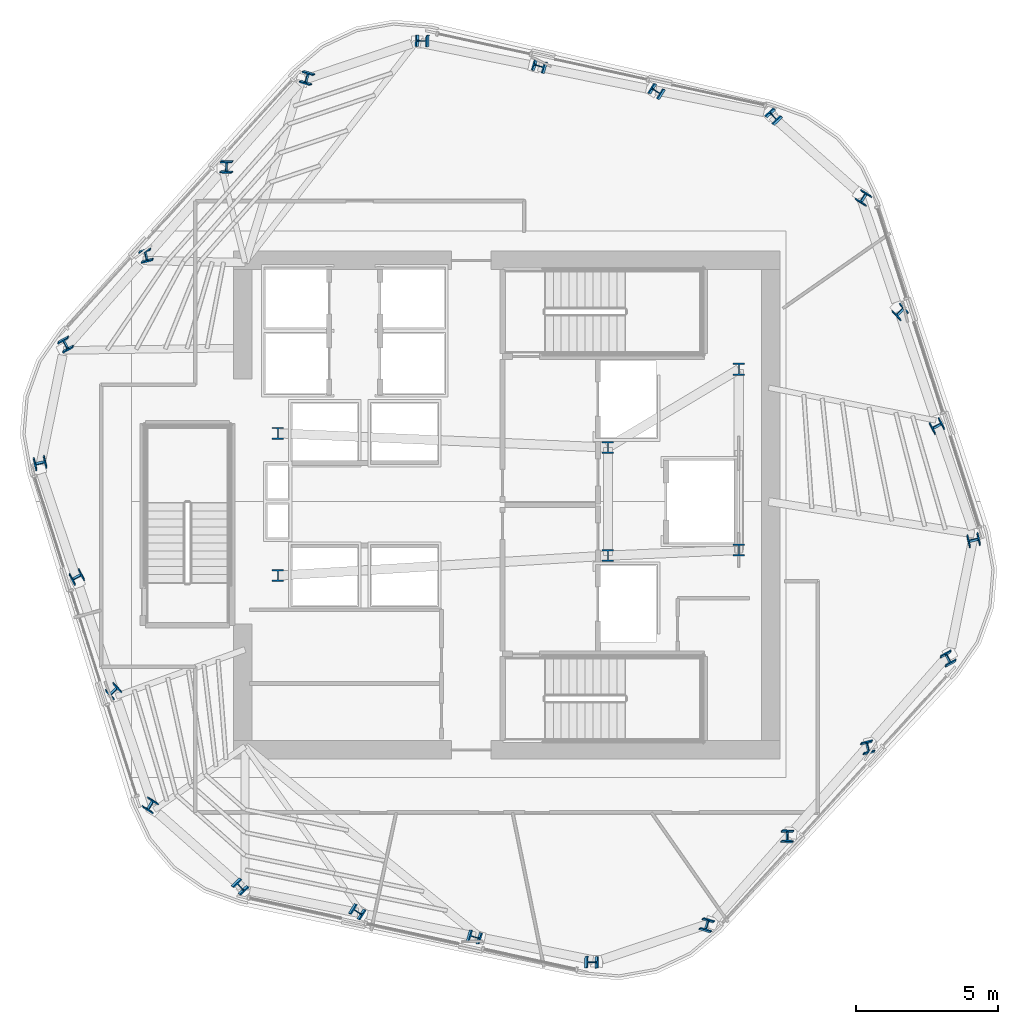
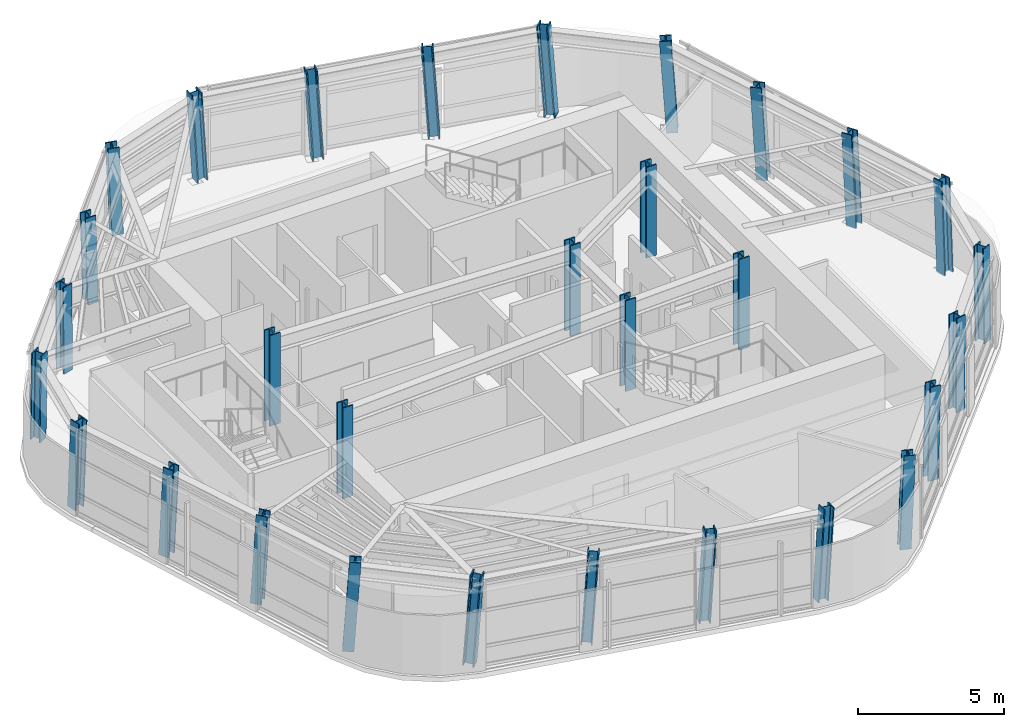
# One storey, part 1 of 13: 30 columns.
"""IFC4 building model written with IfcOpenShell, lengths in metres."""

import ifcopenshell
import ifcopenshell.guid

model = None  # the IFC model being written
_history = None  # IfcOwnerHistory: only IFC2X3 demands one
_inside = {}  # id of a spatial element -> (the spatial element, [elements in it])
_under = {}  # id of a project, library or spatial element -> (it, [spatial elements below it])
_declared = {}  # id of a project -> (the project, [libraries it declares])
_typed = {}  # id of a type object -> (the type object, [elements of that type])
_made_of = {}  # id of a material, layer set ... -> (it, [elements and type objects made of it])


def new_model(schema):
    """Start an empty IFC model of exactly this schema.

    Asked for "IFC4X3", IfcOpenShell would pick the latest addendum, in which some entities
    have other attributes; the version numbers below select the first issue.
    IFC2X3 requires an IfcOwnerHistory on every rooted entity: one is made here for all.
    """
    global model, _history
    if schema == "IFC4X3":
        model = ifcopenshell.file(schema_version=(4, 3, 0, 0))
    else:
        model = ifcopenshell.file(schema=schema)
    _inside.clear()
    _under.clear()
    _declared.clear()
    _typed.clear()
    _made_of.clear()
    _history = None
    if model.schema == "IFC2X3":
        org = make("IfcOrganization", Name="unknown")
        user = make(
            "IfcPersonAndOrganization",
            ThePerson=make("IfcPerson", FamilyName="unknown"),
            TheOrganization=org,
        )
        app = make(
            "IfcApplication",
            ApplicationDeveloper=org,
            Version="unknown",
            ApplicationFullName="unknown",
            ApplicationIdentifier="unknown",
        )
        _history = make(
            "IfcOwnerHistory",
            OwningUser=user,
            OwningApplication=app,
            ChangeAction="ADDED",
            CreationDate=0,
        )
    return model


def make(cls, **values):
    """One entity of the class cls with the attributes given. An attribute that is None is left unset."""
    return model.create_entity(
        cls, **{name: value for name, value in values.items() if value is not None}
    )


def rooted(cls, **values):
    """An entity with a GlobalId (a new one), such as an element, a storey or a relation."""
    return make(cls, GlobalId=ifcopenshell.guid.new(), OwnerHistory=_history, **values)


def si_unit(unit_type, name, prefix=None):
    """IfcSIUnit, for example si_unit("LENGTHUNIT", "METRE", prefix="MILLI")."""
    return make("IfcSIUnit", UnitType=unit_type, Prefix=prefix, Name=name)


def assignment(units):
    """IfcUnitAssignment: the units of a project."""
    return None if units is None else make("IfcUnitAssignment", Units=units)


def point(xyz):
    """IfcCartesianPoint."""
    return None if xyz is None else make("IfcCartesianPoint", Coordinates=xyz)


def direction(xyz):
    """IfcDirection."""
    return None if xyz is None else make("IfcDirection", DirectionRatios=xyz)


def frame(location, z_axis=None, x_axis=None):
    """IfcAxis2Placement3D, a coordinate frame: its origin and axes. An axis left out is left unset."""
    return make(
        "IfcAxis2Placement3D",
        Location=point(location),
        Axis=direction(z_axis),
        RefDirection=direction(x_axis),
    )


def frame_2d(location, x_axis=None):
    """IfcAxis2Placement2D, a coordinate frame in the plane: its origin and x axis."""
    return make(
        "IfcAxis2Placement2D", Location=point(location), RefDirection=direction(x_axis)
    )


def origin():
    """The frame at (0, 0, 0) with its axes left unset."""
    return frame((0.0, 0.0, 0.0))


def origin_2d():
    """The frame at (0, 0) in the plane with its x axis left unset."""
    return frame_2d((0.0, 0.0))


def place(relative_to, where):
    """IfcLocalPlacement: puts the frame where relative to a parent placement (None: the world)."""
    return make(
        "IfcLocalPlacement", PlacementRelTo=relative_to, RelativePlacement=where
    )


def context(
    kind, dimensions, precision=None, world=None, true_north=None, identifier=None
):
    """IfcGeometricRepresentationContext, for example the 3D "Model" context."""
    return make(
        "IfcGeometricRepresentationContext",
        ContextIdentifier=identifier,
        ContextType=kind,
        CoordinateSpaceDimension=dimensions,
        Precision=precision,
        WorldCoordinateSystem=world,
        TrueNorth=true_north,
    )


def subcontext(parent, identifier, kind, view, scale=None):
    """IfcGeometricRepresentationSubContext, for example "Body" below "Model"."""
    return make(
        "IfcGeometricRepresentationSubContext",
        ContextIdentifier=identifier,
        ContextType=kind,
        ParentContext=parent,
        TargetScale=scale,
        TargetView=view,
    )


def project(units=None, contexts=None):
    """IfcProject with its units and contexts."""
    return rooted(
        "IfcProject",
        Name="project",
        RepresentationContexts=contexts,
        UnitsInContext=assignment(units),
    )


def spatial(cls, under=None, at=None, **own):
    """A site, building, storey or space (cls), placed at a placement, below another one or the project."""
    s = rooted(cls, ObjectPlacement=at, **own)
    if under is not None:
        _under.setdefault(under.id(), (under, []))[1].append(s)
    return s


def profile(cls, at=None, kind="AREA", **sizes):
    """A parametric profile (cls). Its sizes go by their IFC names, for example OverallWidth=200.0."""
    return make(cls, ProfileType=kind, Position=at, **sizes)


def i_section(**sizes):
    """IfcIShapeProfileDef."""
    return profile("IfcIShapeProfileDef", **sizes)


def extrude(swept, where, along, depth):
    """IfcExtrudedAreaSolid: the profile swept, set in the frame where, extruded along a direction by depth."""
    return make(
        "IfcExtrudedAreaSolid",
        SweptArea=swept,
        Position=where,
        ExtrudedDirection=direction(along),
        Depth=depth,
    )


def shape(context_of_items, identifier, shape_type, items):
    """IfcShapeRepresentation: the items that make up one representation, for example the "Body"."""
    return make(
        "IfcShapeRepresentation",
        ContextOfItems=context_of_items,
        RepresentationIdentifier=identifier,
        RepresentationType=shape_type,
        Items=items,
    )


def material(Name=None, Category=None):
    """IfcMaterial."""
    return make("IfcMaterial", Name=Name, Category=Category)


def material_profile(
    of_material, cross_section, Name=None, Category=None, Priority=None
):
    """IfcMaterialProfile: a cross section and its material."""
    return make(
        "IfcMaterialProfile",
        Name=Name,
        Material=of_material,
        Profile=cross_section,
        Priority=Priority,
        Category=Category,
    )


def profile_set(profiles, Name=None, composite=None):
    """IfcMaterialProfileSet."""
    return make(
        "IfcMaterialProfileSet",
        Name=Name,
        MaterialProfiles=profiles,
        CompositeProfile=composite,
    )


def made_of(thing, what):
    """Note that an element or type object is made of a material, layer set ...; save() writes the relation."""
    if what is not None:
        _made_of.setdefault(what.id(), (what, []))[1].append(thing)
    return thing


def type_object(cls, material=None, **own):
    """A type object (cls), such as IfcWallType, which elements share."""
    return made_of(rooted(cls, **own), material)


def element(
    cls,
    number,
    at=None,
    inside=None,
    cuts=None,
    type_object=None,
    material=None,
    context=None,
    identifier="Body",
    shape_type=None,
    held_by="IfcProductDefinitionShape",
    body=None,
    shapes=None,
    **own,
):
    """One element of the class cls, such as IfcWall. Its Tag is "e" and its number.

    at: its placement. inside: the storey or other place that contains it. cuts: it is an
    opening in that element (IfcRelVoidsElement). A single representation is given by context,
    identifier, shape_type and body (its items); several are given by shapes. held_by: the class
    of the entity that holds the representations. save() writes the other relations.
    """
    e = rooted(cls, Tag="e%d" % number, ObjectPlacement=at, **own)
    if body is not None:
        shapes = [shape(context, identifier, shape_type, body)]
    if shapes is not None:
        e.Representation = make(held_by, Representations=shapes)
    if inside is not None:
        _inside.setdefault(inside.id(), (inside, []))[1].append(e)
    if cuts is not None:
        rooted(
            "IfcRelVoidsElement", RelatingBuildingElement=cuts, RelatedOpeningElement=e
        )
    if type_object is not None:
        _typed.setdefault(type_object.id(), (type_object, []))[1].append(e)
    return made_of(e, material)


def aggregate(whole, parts):
    """IfcRelAggregates: a whole, such as a stair, and the parts it consists of."""
    return rooted("IfcRelAggregates", RelatingObject=whole, RelatedObjects=parts)


def save(model, path):
    """Write the relations noted so far, then the file.

    IfcRelAggregates (storeys below a building ...), IfcRelContainedInSpatialStructure (elements
    in a storey), IfcRelDefinesByType, IfcRelAssociatesMaterial and IfcRelDeclares: one each for
    every whole, place, type object, material and project.
    """
    for whole, parts in _under.values():
        aggregate(whole, parts)
    for where, things in _inside.values():
        rooted(
            "IfcRelContainedInSpatialStructure",
            RelatedElements=things,
            RelatingStructure=where,
        )
    for kind, things in _typed.values():
        rooted("IfcRelDefinesByType", RelatedObjects=things, RelatingType=kind)
    for what, things in _made_of.values():
        rooted("IfcRelAssociatesMaterial", RelatedObjects=things, RelatingMaterial=what)
    for by, libraries in _declared.values():
        rooted("IfcRelDeclares", RelatingContext=by, RelatedDefinitions=libraries)
    model.write(path)


model = new_model("IFC4")

# Units and contexts
model_context = context("Model", 3, precision=1e-05, world=origin(), true_north=direction((0.0, 1.0)))
body_context = subcontext(model_context, "Body", "Model", "MODEL_VIEW")
ifc_project = project(units=[si_unit("LENGTHUNIT", "METRE"), si_unit("AREAUNIT", "SQUARE_METRE"), si_unit("VOLUMEUNIT", "CUBIC_METRE"), si_unit("PLANEANGLEUNIT", "RADIAN"), si_unit("MASSUNIT", "GRAM", prefix="KILO")], contexts=[model_context])

# Site, building, storey
site_placement = place(None, origin())
site = spatial("IfcSite", under=ifc_project, at=site_placement, CompositionType="ELEMENT")
building_placement = place(site_placement, origin())
building = spatial("IfcBuilding", under=site, at=building_placement, Name="Valkerne Bourse Tower", CompositionType="ELEMENT")
storey_placement = place(building_placement, frame((0.0, 0.0, 228.39990234375)))
storey = spatial("IfcBuildingStorey", under=building, at=storey_placement, Name="L58", CompositionType="ELEMENT", Elevation=228.39990234375)

# Columns
ifc_material = material(Name="Steel ASTM A913 Grade 65", Category="steel")
ifc_material_profile_1 = material_profile(ifc_material, i_section(OverallWidth=0.40380859375, OverallDepth=0.406494140625, WebThickness=0.027099609375, FlangeThickness=0.043701171875, FilletRadius=0.025390625, at=origin_2d()), Name="W14X233")
ifc_profile_set_1 = profile_set([ifc_material_profile_1], Name="Steel ASTM A913 Grade 65")
column_type_1 = type_object("IfcColumnType", Name="COL-W14X233", PredefinedType="COLUMN", material=ifc_profile_set_1)
column_1_placement = place(storey_placement, frame((56.210693359375, 40.50390625, 0.010009765625), z_axis=(-0.05623859574, 0.038587535908, 0.997671400022), x_axis=(0.728028502711, 0.685392874579, 0.014529511913)))
element("IfcColumn", 1, at=column_1_placement, inside=storey, type_object=column_type_1, Name="L58 Helical Perimeter Tube Column F1-C1", PredefinedType="COLUMN", context=body_context, shape_type="SweptSolid", body=[
    extrude(i_section(OverallWidth=0.40380859375, OverallDepth=0.406494140625, WebThickness=0.027099609375, FlangeThickness=0.043701171875, FilletRadius=0.025390625, at=origin_2d()), origin(), (0.0, 0.0, 1.0), 3.789794921875),
])
for number, where, z_axis, x_axis, name in (
    (2, (52.095458984375, 41.401123046875, 0.010009765625), (-0.05986429131, 0.021522791493, 0.997974466643), (0.530620619311, 0.847501091012, 0.013552088264), "L58 Helical Perimeter Tube Column F1-C2"),
    (3, (47.97998046875, 42.298583984375, 0.010009765625), (-0.063408689606, 0.004381901314, 0.997978024319), (0.279452572027, 0.960064020337, 0.013540193549), "L58 Helical Perimeter Tube Column F1-C3"),
):
    element("IfcColumn", number, at=place(storey_placement, frame(where, z_axis=z_axis, x_axis=x_axis)), inside=storey, type_object=column_type_1, Name=name, PredefinedType="COLUMN", context=body_context, shape_type="SweptSolid", body=[
        extrude(i_section(OverallWidth=0.40380859375, OverallDepth=0.406494140625, WebThickness=0.027099609375, FlangeThickness=0.043701171875, FilletRadius=0.025390625, at=origin_2d()), origin(), (0.0, 0.0, 1.0), 3.78857421875),
    ])
for number, where, z_axis, x_axis, name in (
    (4, (43.86474609375, 43.19580078125, 0.010009765625), (-0.066996795874, -0.012690739218, 0.997672478562), (0.02697980758, 0.999530430218, 0.014526150619), "L58 Helical Perimeter Tube Column F1-C4"),
    (5, (39.810546875, 41.90185546875, 0.010009765625), (-0.061521036852, -0.029439909782, 0.997671515949), (-0.956131965115, 0.288560249456, -0.050444501368), "L58 Helical Perimeter Tube Column F2-C1"),
):
    element("IfcColumn", number, at=place(storey_placement, frame(where, z_axis=z_axis, x_axis=x_axis)), inside=storey, type_object=column_type_1, Name=name, PredefinedType="COLUMN", context=body_context, shape_type="SweptSolid", body=[
        extrude(i_section(OverallWidth=0.40380859375, OverallDepth=0.406494140625, WebThickness=0.027099609375, FlangeThickness=0.043701171875, FilletRadius=0.025390625, at=origin_2d()), origin(), (0.0, 0.0, 1.0), 3.789794921875),
    ])
for number, where, z_axis, x_axis, name in (
    (6, (36.975830078125, 38.78662109375, 0.010009765625), (-0.048522994909, -0.041112444557, 0.997975593824), (-0.998232403937, 0.036323409142, -0.04703910797), "L58 Helical Perimeter Tube Column F2-C2"),
    (7, (34.14111328125, 35.67138671875, 0.010009765625), (-0.035506179339, -0.052775972556, 0.997974953568), (-0.97042940822, -0.236755964853, -0.047046538332), "L58 Helical Perimeter Tube Column F2-C3"),
):
    element("IfcColumn", number, at=place(storey_placement, frame(where, z_axis=z_axis, x_axis=x_axis)), inside=storey, type_object=column_type_1, Name=name, PredefinedType="COLUMN", context=body_context, shape_type="SweptSolid", body=[
        extrude(i_section(OverallWidth=0.40380859375, OverallDepth=0.406494140625, WebThickness=0.027099609375, FlangeThickness=0.043701171875, FilletRadius=0.025390625, at=origin_2d()), origin(), (0.0, 0.0, 1.0), 3.78857421875),
    ])
for number, where, z_axis, x_axis, name in (
    (8, (31.306396484375, 32.555908203125, 0.010009765625), (-0.022482606932, -0.064355657093, 0.997673735139), (-0.878722494044, -0.474662567646, -0.050420485278), "L58 Helical Perimeter Tube Column F2-C4"),
    (9, (30.39990234375, 28.39794921875, 0.010009765625), (-0.005282423771, -0.068027310996, 0.997669474805), (0.229538863682, -0.971126479041, -0.065002090466), "L58 Helical Perimeter Tube Column F3-C1"),
):
    element("IfcColumn", number, at=place(storey_placement, frame(where, z_axis=z_axis, x_axis=x_axis)), inside=storey, type_object=column_type_1, Name=name, PredefinedType="COLUMN", context=body_context, shape_type="SweptSolid", body=[
        extrude(i_section(OverallWidth=0.40380859375, OverallDepth=0.406494140625, WebThickness=0.027099609375, FlangeThickness=0.043701171875, FilletRadius=0.025390625, at=origin_2d()), origin(), (0.0, 0.0, 1.0), 3.789794921875),
    ])
for number, where, z_axis, x_axis, name in (
    (10, (31.680419921875, 24.385498046875, 0.010009765625), (0.011341323821, -0.062635038374, 0.997972056894), (0.468562347682, -0.881346743819, -0.060640279472), "L58 Helical Perimeter Tube Column F3-C2"),
    (11, (32.9609375, 20.372802734375, 0.010009765625), (0.027966710384, -0.05715776984, 0.997973372619), (0.690942198715, -0.720363809411, -0.060620624601), "L58 Helical Perimeter Tube Column F3-C3"),
):
    element("IfcColumn", number, at=place(storey_placement, frame(where, z_axis=z_axis, x_axis=x_axis)), inside=storey, type_object=column_type_1, Name=name, PredefinedType="COLUMN", context=body_context, shape_type="SweptSolid", body=[
        extrude(i_section(OverallWidth=0.40380859375, OverallDepth=0.406494140625, WebThickness=0.027099609375, FlangeThickness=0.043701171875, FilletRadius=0.025390625, at=origin_2d()), origin(), (0.0, 0.0, 1.0), 3.78857421875),
    ])
for number, where, z_axis, x_axis, name in (
    (12, (34.24169921875, 16.360107421875, 0.010009765625), (0.044514191766, -0.05166480723, 0.997671907205), (0.850718431924, -0.52159110676, -0.064968199398), "L58 Helical Perimeter Tube Column F3-C4"),
    (13, (37.38916015625, 13.49609375, 0.010009765625), (0.056302811571, -0.038587396031, 0.997667783522), (0.727661789835, 0.6857819518, -0.014540777115), "L58 Helical Perimeter Tube Column F4-C1"),
):
    element("IfcColumn", number, at=place(storey_placement, frame(where, z_axis=z_axis, x_axis=x_axis)), inside=storey, type_object=column_type_1, Name=name, PredefinedType="COLUMN", context=body_context, shape_type="SweptSolid", body=[
        extrude(i_section(OverallWidth=0.40380859375, OverallDepth=0.406494140625, WebThickness=0.027099609375, FlangeThickness=0.043701171875, FilletRadius=0.025390625, at=origin_2d()), origin(), (0.0, 0.0, 1.0), 3.789794921875),
    ])
for number, where, z_axis, x_axis, name in (
    (14, (41.50439453125, 12.598876953125, 0.010009765625), (0.059928499499, -0.021522708422, 0.997970614783), (0.530329649049, 0.847682992246, -0.013564954749), "L58 Helical Perimeter Tube Column F4-C2"),
    (15, (45.619873046875, 11.701416015625, 0.010009765625), (0.063472869847, -0.004381883401, 0.997973944495), (0.279384667866, 0.960083590615, -0.01355383313), "L58 Helical Perimeter Tube Column F4-C3"),
):
    element("IfcColumn", number, at=place(storey_placement, frame(where, z_axis=z_axis, x_axis=x_axis)), inside=storey, type_object=column_type_1, Name=name, PredefinedType="COLUMN", context=body_context, shape_type="SweptSolid", body=[
        extrude(i_section(OverallWidth=0.40380859375, OverallDepth=0.406494140625, WebThickness=0.027099609375, FlangeThickness=0.043701171875, FilletRadius=0.025390625, at=origin_2d()), origin(), (0.0, 0.0, 1.0), 3.78857421875),
    ])
for number, where, z_axis, x_axis, name in (
    (16, (49.735107421875, 10.80419921875, 0.010009765625), (0.067060926301, 0.01269068442, 0.997668170632), (0.027154488547, 0.99952550473, -0.014539571706), "L58 Helical Perimeter Tube Column F4-C4"),
    (17, (53.789306640625, 12.09814453125, 0.010009765625), (0.061585212586, 0.029439793046, 0.99766755995), (-0.956011695007, 0.288950987344, 0.050487284769), "L58 Helical Perimeter Tube Column F5-C1"),
):
    element("IfcColumn", number, at=place(storey_placement, frame(where, z_axis=z_axis, x_axis=x_axis)), inside=storey, type_object=column_type_1, Name=name, PredefinedType="COLUMN", context=body_context, shape_type="SweptSolid", body=[
        extrude(i_section(OverallWidth=0.40380859375, OverallDepth=0.406494140625, WebThickness=0.027099609375, FlangeThickness=0.043701171875, FilletRadius=0.025390625, at=origin_2d()), origin(), (0.0, 0.0, 1.0), 3.789794921875),
    ])
for number, where, z_axis, x_axis, name in (
    (18, (56.6240234375, 15.21337890625, 0.010009765625), (0.048587282453, 0.041112315922, 0.997972471295), (-0.998206653808, 0.036978225367, 0.047075334744), "L58 Helical Perimeter Tube Column F5-C2"),
    (19, (59.458740234375, 18.32861328125, 0.010009765625), (0.035570537406, 0.052775851695, 0.997972668136), (-0.970627013729, -0.235939246431, 0.047073051876), "L58 Helical Perimeter Tube Column F5-C3"),
):
    element("IfcColumn", number, at=place(storey_placement, frame(where, z_axis=z_axis, x_axis=x_axis)), inside=storey, type_object=column_type_1, Name=name, PredefinedType="COLUMN", context=body_context, shape_type="SweptSolid", body=[
        extrude(i_section(OverallWidth=0.40380859375, OverallDepth=0.406494140625, WebThickness=0.027099609375, FlangeThickness=0.043701171875, FilletRadius=0.025390625, at=origin_2d()), origin(), (0.0, 0.0, 1.0), 3.78857421875),
    ])
for number, where, z_axis, x_axis, name in (
    (20, (62.293701171875, 21.444091796875, 0.010009765625), (0.022482606932, 0.064355657093, 0.997673735139), (-0.878722494044, -0.474662567646, 0.050420485278), "L58 Helical Perimeter Tube Column F5-C4"),
    (21, (63.2001953125, 25.60205078125, 0.010009765625), (0.005282423771, 0.068027310996, 0.997669474805), (0.229538863682, -0.971126479041, 0.065002090466), "L58 Helical Perimeter Tube Column F6-C1"),
):
    element("IfcColumn", number, at=place(storey_placement, frame(where, z_axis=z_axis, x_axis=x_axis)), inside=storey, type_object=column_type_1, Name=name, PredefinedType="COLUMN", context=body_context, shape_type="SweptSolid", body=[
        extrude(i_section(OverallWidth=0.40380859375, OverallDepth=0.406494140625, WebThickness=0.027099609375, FlangeThickness=0.043701171875, FilletRadius=0.025390625, at=origin_2d()), origin(), (0.0, 0.0, 1.0), 3.789794921875),
    ])
for number, where, z_axis, x_axis, name in (
    (22, (61.919677734375, 29.614501953125, 0.010009765625), (-0.011341323821, 0.062635038374, 0.997972056894), (0.468562347682, -0.881346743819, 0.060640279472), "L58 Helical Perimeter Tube Column F6-C2"),
    (23, (60.638916015625, 33.627197265625, 0.010009765625), (-0.027902321186, 0.057157872729, 0.997975169059), (0.690287109525, -0.720993828308, 0.060593778274), "L58 Helical Perimeter Tube Column F6-C3"),
):
    element("IfcColumn", number, at=place(storey_placement, frame(where, z_axis=z_axis, x_axis=x_axis)), inside=storey, type_object=column_type_1, Name=name, PredefinedType="COLUMN", context=body_context, shape_type="SweptSolid", body=[
        extrude(i_section(OverallWidth=0.40380859375, OverallDepth=0.406494140625, WebThickness=0.027099609375, FlangeThickness=0.043701171875, FilletRadius=0.025390625, at=origin_2d()), origin(), (0.0, 0.0, 1.0), 3.78857421875),
    ])
column_2_placement = place(storey_placement, frame((59.3583984375, 37.639892578125, 0.010009765625), z_axis=(-0.044514191766, 0.05166480723, 0.997671907205), x_axis=(0.850718431924, -0.52159110676, 0.064968199398)))
element("IfcColumn", 24, at=column_2_placement, inside=storey, type_object=column_type_1, Name="L58 Helical Perimeter Tube Column F6-C4", PredefinedType="COLUMN", context=body_context, shape_type="SweptSolid", body=[
    extrude(i_section(OverallWidth=0.40380859375, OverallDepth=0.406494140625, WebThickness=0.027099609375, FlangeThickness=0.043701171875, FilletRadius=0.025390625, at=origin_2d()), origin(), (0.0, 0.0, 1.0), 3.789794921875),
])
ifc_material_profile_2 = material_profile(ifc_material, i_section(OverallWidth=0.408935546875, OverallDepth=0.42431640625, WebThickness=0.03271484375, FlangeThickness=0.052490234375, FilletRadius=0.025390625, at=origin_2d()), Name="W14X283")
ifc_profile_set_2 = profile_set([ifc_material_profile_2], Name="Steel ASTM A913 Grade 65")
column_type_2 = type_object("IfcColumnType", Name="COL-W14X283", PredefinedType="COLUMN", material=ifc_profile_set_2)
for number, where, z_axis, x_axis, name in (
    (25, (38.75, 24.39990234375, 0.005126953125), (0.0, 0.0, 1.0), (1.0, 0.0, 0.0), "L58 Core Frame Column CC-SW"),
    (26, (38.75, 29.39990234375, 0.005126953125), (0.0, 0.0, 1.0), (1.0, 0.0, 0.0), "L58 Core Frame Column CC-NW"),
    (27, (50.35009765625, 25.10009765625, 0.005126953125), (0.0, 0.0, 1.0), (1.0, 0.0, 0.0), "L58 Core Frame Column CC-CE1"),
    (28, (50.35009765625, 28.89990234375, 0.005126953125), (0.0, 0.0, 1.0), (1.0, 0.0, 0.0), "L58 Core Frame Column CC-CE2"),
    (29, (54.949951171875, 25.300048828125, 0.005126953125), (0.0, 0.0, 1.0), (1.0, 0.0, 0.0), "L58 Core Frame Column CC-SE"),
    (30, (54.949951171875, 31.64990234375, 0.005126953125), (0.0, 0.0, 1.0), (1.0, 0.0, 0.0), "L58 Core Frame Column CC-NE"),
):
    element("IfcColumn", number, at=place(storey_placement, frame(where, z_axis=z_axis, x_axis=x_axis)), inside=storey, type_object=column_type_2, Name=name, PredefinedType="COLUMN", context=body_context, shape_type="SweptSolid", body=[
        extrude(i_section(OverallWidth=0.408935546875, OverallDepth=0.42431640625, WebThickness=0.03271484375, FlangeThickness=0.052490234375, FilletRadius=0.025390625, at=origin_2d()), origin(), (0.0, 0.0, 1.0), 3.794921875),
    ])

save(model, "model.ifc")
